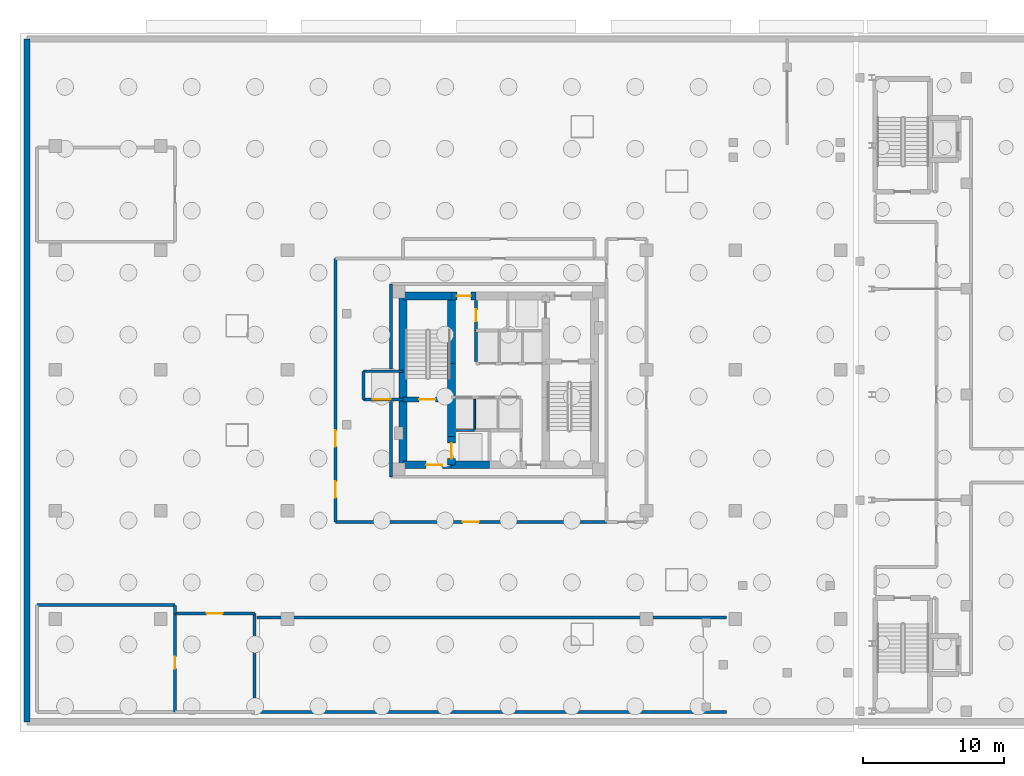
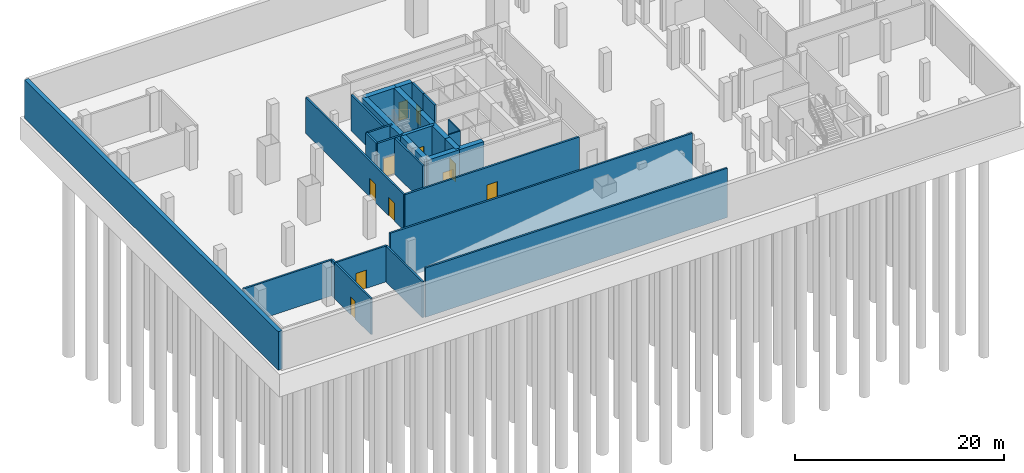
# One storey, part 6 of 15: 30 walls, 11 doors, 11 openings.
"""IFC4 building model written with IfcOpenShell, lengths in metres."""

from ifc_helpers import new_model, si_unit, direction, frame, frame_2d, origin, place, context, subcontext, project, spatial, rectangle, extrude, material, layer, layer_set, type_object, element, fill, save


model = new_model("IFC4")

# Units and contexts
model_context = context("Model", 3, precision=1e-05, world=origin(), true_north=direction((0.0, 1.0)))
body_context = subcontext(model_context, "Body", "Model", "MODEL_VIEW")
ifc_project = project(units=[si_unit("LENGTHUNIT", "METRE"), si_unit("AREAUNIT", "SQUARE_METRE"), si_unit("VOLUMEUNIT", "CUBIC_METRE"), si_unit("PLANEANGLEUNIT", "RADIAN"), si_unit("MASSUNIT", "GRAM", prefix="KILO")], contexts=[model_context])

# Site, building, storey
site_placement = place(None, origin())
site = spatial("IfcSite", under=ifc_project, at=site_placement, CompositionType="ELEMENT")
building_placement = place(site_placement, origin())
building = spatial("IfcBuilding", under=site, at=building_placement, Name="Mersakhor Tower and Convention Hall", CompositionType="ELEMENT")
storey_placement = place(building_placement, frame((0.0, 0.0, -9.0)))
storey = spatial("IfcBuildingStorey", under=building, at=storey_placement, Name="B02", CompositionType="ELEMENT", Elevation=-9.0)

# Walls
ifc_material_1 = material(Name="Precast concrete C40/50", Category="concrete")
ifc_layer_1 = layer(ifc_material_1, 0.199951171875)
ifc_layer_set_1 = layer_set([ifc_layer_1], Name="Precast concrete C40/50")
wall_type_1 = type_object("IfcWallType", Name="WL-PAR-200", PredefinedType="PARAPET", material=ifc_layer_set_1)
for number, where, z_axis, x_axis, name in (
    (1, (11.85009765625, 9.89990234375, 0.0), (0.0, 0.0, 1.0), (1.0, 0.0, 0.0), "B02 Vehicle Ramp North Pit Guard Wall"),
    (2, (45.199951171875, 3.199951171875, 0.0), (0.0, 0.0, 1.0), (-1.0, 0.0, 0.0), "B02 Vehicle Ramp South Pit Guard Wall"),
):
    element("IfcWall", number, at=place(storey_placement, frame(where, z_axis=z_axis, x_axis=x_axis)), inside=storey, type_object=wall_type_1, Name=name, PredefinedType="PARAPET", context=body_context, shape_type="SweptSolid", body=[
        extrude(rectangle(XDim=33.349853515625, YDim=0.199951171875, at=frame_2d((16.6748046875, 0.0))), origin(), (0.0, 0.0, 1.0), 5.75),
    ])
ifc_material_2 = material(Name="Gypsum board acoustic partition", Category="other")
ifc_layer_2 = layer(ifc_material_2, 0.125)
ifc_layer_set_2 = layer_set([ifc_layer_2], Name="Gypsum board acoustic partition")
wall_type_2 = type_object("IfcWallType", Name="WL-PRT-125", PredefinedType="PARTITIONING", material=ifc_layer_set_2)
wall_1_placement = place(storey_placement, frame((25.97509765625, 23.199951171875, 0.0), z_axis=(0.0, 0.0, 1.0), x_axis=(1.0, 0.0, 0.0)))
element("IfcWall", 3, at=wall_1_placement, inside=storey, type_object=wall_type_2, Name="B02 Interior Partition Wall P-001", PredefinedType="PARTITIONING", context=body_context, shape_type="SweptSolid", body=[
    extrude(rectangle(XDim=1.324951171875, YDim=0.125, at=frame_2d((0.66259765625, 0.0))), origin(), (0.0, 0.0, 1.0), 4.199951171875),
])
wall_2_placement = place(storey_placement, frame((27.300048828125, 25.39990234375, 0.0), z_axis=(0.0, 0.0, 1.0), x_axis=(0.0, -1.0, 0.0)))
element("IfcWall", 4, at=wall_2_placement, inside=storey, type_object=wall_type_2, Name="B02 Interior Partition Wall P-007", PredefinedType="PARTITIONING", context=body_context, shape_type="SweptSolid", body=[
    extrude(rectangle(XDim=2.199951171875, YDim=0.125, at=frame_2d((1.10009765625, 0.0))), origin(), (0.0, 0.0, 1.0), 4.199951171875),
])
ifc_material_3 = material(Name="Acoustic concrete blockwork and gypsum board", Category="masonry")
ifc_layer_3 = layer(ifc_material_3, 0.199951171875)
ifc_layer_set_3 = layer_set([ifc_layer_3], Name="Acoustic concrete blockwork and gypsum board")
wall_type_3 = type_object("IfcWallType", Name="WL-PRT-200", PredefinedType="PARTITIONING", material=ifc_layer_set_3)
wall_3_placement = place(storey_placement, frame((19.39990234375, 25.39990234375, 0.0), z_axis=(0.0, 0.0, 1.0), x_axis=(0.0, 1.0, 0.0)))
element("IfcWall", 5, at=wall_3_placement, inside=storey, type_object=wall_type_3, Name="B02 Clinic Lift West Wall", PredefinedType="PARTITIONING", context=body_context, shape_type="SweptSolid", body=[
    extrude(rectangle(XDim=2.0, YDim=0.199951171875, at=frame_2d((1.0, 0.0))), origin(), (0.0, 0.0, 1.0), 4.199951171875),
])
wall_4_placement = place(storey_placement, frame((19.39990234375, 27.39990234375, 0.0), z_axis=(0.0, 0.0, 1.0), x_axis=(1.0, 0.0, 0.0)))
element("IfcWall", 6, at=wall_4_placement, inside=storey, type_object=wall_type_3, Name="B02 Clinic Lift North Wall", PredefinedType="PARTITIONING", context=body_context, shape_type="SweptSolid", body=[
    extrude(rectangle(XDim=2.800048828125, YDim=0.199951171875, at=frame_2d((1.39990234375, 0.0))), origin(), (0.0, 0.0, 1.0), 4.199951171875),
])

# Wall, opening, door
wall_5_placement = place(storey_placement, frame((22.199951171875, 25.39990234375, 0.0), z_axis=(0.0, 0.0, 1.0), x_axis=(-1.0, 0.0, 0.0)))
wall_5 = element("IfcWall", 7, at=wall_5_placement, inside=storey, type_object=wall_type_3, Name="B02 Clinic Lift Front Wall", PredefinedType="PARTITIONING", context=body_context, shape_type="SweptSolid", body=[
    extrude(rectangle(XDim=2.800048828125, YDim=0.199951171875, at=frame_2d((1.39990234375, 0.0))), origin(), (0.0, 0.0, 1.0), 4.199951171875),
])
opening_1_placement = place(wall_5_placement, frame((0.85009765625, 0.0, 0.0)))
opening_1 = element("IfcOpeningElement", 8, at=opening_1_placement, cuts=wall_5, Name="Opening LD-CL1", PredefinedType="OPENING", context=body_context, shape_type="SweptSolid", body=[
    extrude(rectangle(XDim=1.300048828125, YDim=2.199951171875, at=frame_2d((0.64990234375, 1.10009765625))), frame((0.0, 0.10986328125, 0.0), z_axis=(0.0, -1.0, 0.0), x_axis=(1.0, 0.0, 0.0)), (0.0, 0.0, 1.0), 0.219970703125),
])
ifc_material_4 = material(Name="Fire-rated brushed stainless steel sliding landing door", Category="steel")
door_type_1 = type_object("IfcDoorType", Name="DR-LIFT-SLD-130x220", OperationType="NOTDEFINED", PredefinedType="DOOR", material=ifc_material_4)
door_1_placement = place(opening_1_placement, origin())
door_1 = element("IfcDoor", 9, at=door_1_placement, inside=storey, type_object=door_type_1, Name="B02 Clinic Stretcher Lift Landing Door LD-CL1", OperationType="SLIDING_TO_LEFT", OverallHeight=2.199951171875, OverallWidth=1.300048828125, PredefinedType="DOOR", context=body_context, shape_type="SweptSolid", body=[
    extrude(rectangle(XDim=1.300048828125, YDim=2.199951171875, at=frame_2d((0.64990234375, 1.10009765625))), frame((0.0, 0.02490234375, 0.0), z_axis=(0.0, -1.0, 0.0), x_axis=(1.0, 0.0, 0.0)), (0.0, 0.0, 1.0), 0.050048828125),
])
fill(opening_1, door_1)

# Wall
wall_6_placement = place(storey_placement, frame((27.39990234375, 28.10009765625, 0.0), z_axis=(0.0, 0.0, 1.0), x_axis=(0.0, 1.0, 0.0)))
element("IfcWall", 10, at=wall_6_placement, inside=storey, type_object=wall_type_3, Name="B02 Interior Partition Wall P-014", PredefinedType="PARTITIONING", context=body_context, shape_type="SweptSolid", body=[
    extrude(rectangle(XDim=2.199951171875, YDim=0.199951171875, at=frame_2d((1.10009765625, 0.0))), origin(), (0.0, 0.0, 1.0), 4.199951171875),
])

# Wall, opening, door
wall_7_placement = place(storey_placement, frame((27.39990234375, 32.425048828125, 0.0), z_axis=(0.0, 0.0, 1.0), x_axis=(0.0, -1.0, 0.0)))
wall_7 = element("IfcWall", 11, at=wall_7_placement, inside=storey, type_object=wall_type_3, Name="B02 Interior Partition Wall P-018", PredefinedType="PARTITIONING", context=body_context, shape_type="SweptSolid", body=[
    extrude(rectangle(XDim=2.125, YDim=0.199951171875, at=frame_2d((1.0625, 0.0))), origin(), (0.0, 0.0, 1.0), 4.199951171875),
])
opening_2_placement = place(wall_7_placement, frame((0.637451171875, 0.0, 0.0)))
opening_2 = element("IfcOpeningElement", 12, at=opening_2_placement, cuts=wall_7, Name="Opening SVD-01", PredefinedType="OPENING", context=body_context, shape_type="SweptSolid", body=[
    extrude(rectangle(XDim=0.85009765625, YDim=2.10009765625, at=frame_2d((0.425048828125, 1.050048828125))), frame((0.0, 0.10986328125, 0.0), z_axis=(0.0, -1.0, 0.0), x_axis=(1.0, 0.0, 0.0)), (0.0, 0.0, 1.0), 0.219970703125),
])
ifc_material_5 = material(Name="Fire-rated hardwood leaf and painted steel frame", Category="steel")
door_type_2 = type_object("IfcDoorType", Name="DR-INT-SVC-085x210", OperationType="NOTDEFINED", PredefinedType="DOOR", material=ifc_material_5)
door_2_placement = place(opening_2_placement, origin())
door_2 = element("IfcDoor", 13, at=door_2_placement, inside=storey, type_object=door_type_2, Name="B02 Central Passenger Lift Lobby to Telecoms and BMS Riser Room Door", OperationType="SINGLE_SWING_LEFT", OverallHeight=2.10009765625, OverallWidth=0.85009765625, PredefinedType="DOOR", context=body_context, shape_type="SweptSolid", body=[
    extrude(rectangle(XDim=0.85009765625, YDim=2.10009765625, at=frame_2d((0.425048828125, 1.050048828125))), frame((0.0, 0.02490234375, 0.0), z_axis=(0.0, -1.0, 0.0), x_axis=(1.0, 0.0, 0.0)), (0.0, 0.0, 1.0), 0.050048828125),
])
fill(opening_2, door_2)

# Wall, openings, doors
wall_8_placement = place(storey_placement, frame((17.39990234375, 16.699951171875, 0.0), z_axis=(0.0, 0.0, 1.0), x_axis=(0.0, 1.0, 0.0)))
wall_8 = element("IfcWall", 14, at=wall_8_placement, inside=storey, type_object=wall_type_3, Name="B02 Interior Partition Wall P-019", PredefinedType="PARTITIONING", context=body_context, shape_type="SweptSolid", body=[
    extrude(rectangle(XDim=18.699951171875, YDim=0.199951171875, at=frame_2d((9.35009765625, 0.0))), origin(), (0.0, 0.0, 1.0), 4.199951171875),
])
opening_3_placement = place(wall_8_placement, frame((1.72509765625, 0.0, 0.0)))
opening_3 = element("IfcOpeningElement", 15, at=opening_3_placement, cuts=wall_8, Name="Opening SD-01", PredefinedType="OPENING", context=body_context, shape_type="SweptSolid", body=[
    extrude(rectangle(XDim=1.14990234375, YDim=2.14990234375, at=frame_2d((0.574951171875, 1.074951171875))), frame((0.0, 0.10986328125, 0.0), z_axis=(0.0, -1.0, 0.0), x_axis=(1.0, 0.0, 0.0)), (0.0, 0.0, 1.0), 0.219970703125),
])
opening_4_placement = place(wall_8_placement, frame((5.347412109375, 0.0, 0.0)))
opening_4 = element("IfcOpeningElement", 16, at=opening_4_placement, cuts=wall_8, Name="Opening SD-01", PredefinedType="OPENING", context=body_context, shape_type="SweptSolid", body=[
    extrude(rectangle(XDim=1.14990234375, YDim=2.14990234375, at=frame_2d((0.574951171875, 1.074951171875))), frame((0.0, 0.10986328125, 0.0), z_axis=(0.0, -1.0, 0.0), x_axis=(1.0, 0.0, 0.0)), (0.0, 0.0, 1.0), 0.219970703125),
])
ifc_material_6 = material(Name="Fire-rated hardwood leaf and painted steel frame", Category="steel")
door_type_3 = type_object("IfcDoorType", Name="DR-INT-STAIR-115x215", OperationType="NOTDEFINED", PredefinedType="DOOR", material=ifc_material_6)
door_3_placement = place(opening_3_placement, origin())
door_3 = element("IfcDoor", 17, at=door_3_placement, inside=storey, type_object=door_type_3, Name="B02 Basement Core Access Corridor West to Accessible Parking Bay AP-B02-1 Door", OperationType="SINGLE_SWING_LEFT", OverallHeight=2.14990234375, OverallWidth=1.14990234375, PredefinedType="DOOR", context=body_context, shape_type="SweptSolid", body=[
    extrude(rectangle(XDim=1.14990234375, YDim=2.14990234375, at=frame_2d((0.574951171875, 1.074951171875))), frame((0.0, 0.02490234375, 0.0), z_axis=(0.0, -1.0, 0.0), x_axis=(1.0, 0.0, 0.0)), (0.0, 0.0, 1.0), 0.050048828125),
])
fill(opening_3, door_3)
door_4_placement = place(opening_4_placement, origin())
door_4 = element("IfcDoor", 18, at=door_4_placement, inside=storey, type_object=door_type_3, Name="B02 Basement Core Access Corridor West to Accessible Parking Bay AP-B02-2 Door", OperationType="SINGLE_SWING_RIGHT", OverallHeight=2.14990234375, OverallWidth=1.14990234375, PredefinedType="DOOR", context=body_context, shape_type="SweptSolid", body=[
    extrude(rectangle(XDim=1.14990234375, YDim=2.14990234375, at=frame_2d((0.574951171875, 1.074951171875))), frame((0.0, 0.02490234375, 0.0), z_axis=(0.0, -1.0, 0.0), x_axis=(1.0, 0.0, 0.0)), (0.0, 0.0, 1.0), 0.050048828125),
])
fill(opening_4, door_4)

# Walls
wall_9_placement = place(storey_placement, frame((21.35009765625, 33.60009765625, 0.0), z_axis=(0.0, 0.0, 1.0), x_axis=(0.0, -1.0, 0.0)))
element("IfcWall", 19, at=wall_9_placement, inside=storey, type_object=wall_type_3, Name="B02 Interior Partition Wall P-025", PredefinedType="PARTITIONING", context=body_context, shape_type="SweptSolid", body=[
    extrude(rectangle(XDim=6.050048828125, YDim=0.199951171875, at=frame_2d((3.02490234375, 0.0))), origin(), (0.0, 0.0, 1.0), 4.199951171875),
])
wall_10_placement = place(storey_placement, frame((21.35009765625, 25.25, 0.0), z_axis=(0.0, 0.0, 1.0), x_axis=(0.0, -1.0, 0.0)))
element("IfcWall", 20, at=wall_10_placement, inside=storey, type_object=wall_type_3, Name="B02 Interior Partition Wall P-026", PredefinedType="PARTITIONING", context=body_context, shape_type="SweptSolid", body=[
    extrude(rectangle(XDim=5.35009765625, YDim=0.199951171875, at=frame_2d((2.675048828125, 0.0))), origin(), (0.0, 0.0, 1.0), 4.199951171875),
])

# Wall, opening, door
wall_11_placement = place(storey_placement, frame((36.64990234375, 16.699951171875, 0.0), z_axis=(0.0, 0.0, 1.0), x_axis=(-1.0, 0.0, 0.0)))
wall_11 = element("IfcWall", 21, at=wall_11_placement, inside=storey, type_object=wall_type_3, Name="B02 Interior Partition Wall P-029", PredefinedType="PARTITIONING", context=body_context, shape_type="SweptSolid", body=[
    extrude(rectangle(XDim=19.25, YDim=0.199951171875, at=frame_2d((9.625, 0.0))), origin(), (0.0, 0.0, 1.0), 4.199951171875),
])
opening_5_placement = place(wall_11_placement, frame((9.050048828125, 0.0, 0.0)))
opening_5 = element("IfcOpeningElement", 22, at=opening_5_placement, cuts=wall_11, Name="Opening SD-01", PredefinedType="OPENING", context=body_context, shape_type="SweptSolid", body=[
    extrude(rectangle(XDim=1.14990234375, YDim=2.14990234375, at=frame_2d((0.574951171875, 1.074951171875))), frame((0.0, 0.10986328125, 0.0), z_axis=(0.0, -1.0, 0.0), x_axis=(1.0, 0.0, 0.0)), (0.0, 0.0, 1.0), 0.219970703125),
])
door_5_placement = place(opening_5_placement, origin())
door_5 = element("IfcDoor", 23, at=door_5_placement, inside=storey, type_object=door_type_3, Name="B02 Basement Core Access Corridor West to Two-Way Basement Drive Aisle AISLE-S Door", OperationType="SINGLE_SWING_RIGHT", OverallHeight=2.14990234375, OverallWidth=1.14990234375, PredefinedType="DOOR", context=body_context, shape_type="SweptSolid", body=[
    extrude(rectangle(XDim=1.14990234375, YDim=2.14990234375, at=frame_2d((0.574951171875, 1.074951171875))), frame((0.0, 0.02490234375, 0.0), z_axis=(0.0, -1.0, 0.0), x_axis=(1.0, 0.0, 0.0)), (0.0, 0.0, 1.0), 0.050048828125),
])
fill(opening_5, door_5)

# Walls
wall_12_placement = place(storey_placement, frame((-3.800048828125, 10.800048828125, 0.0), z_axis=(0.0, 0.0, 1.0), x_axis=(1.0, 0.0, 0.0)))
element("IfcWall", 24, at=wall_12_placement, inside=storey, type_object=wall_type_3, Name="B02 Interior Partition Wall P-053", PredefinedType="PARTITIONING", context=body_context, shape_type="SweptSolid", body=[
    extrude(rectangle(XDim=9.800048828125, YDim=0.199951171875, at=frame_2d((4.89990234375, 0.0))), origin(), (0.0, 0.0, 1.0), 4.199951171875),
])
wall_13_placement = place(storey_placement, frame((6.0, 10.77001953125, 0.0), z_axis=(0.0, 0.0, 1.0), x_axis=(0.0, -1.0, 0.0)))
element("IfcWall", 25, at=wall_13_placement, inside=storey, type_object=wall_type_3, Name="B02 Interior Partition Wall P-054", PredefinedType="PARTITIONING", context=body_context, shape_type="SweptSolid", body=[
    extrude(rectangle(XDim=0.570068359375, YDim=0.199951171875, at=frame_2d((0.28515625, 0.0))), origin(), (0.0, 0.0, 1.0), 4.199951171875),
])

# Wall, opening, door
wall_14_placement = place(storey_placement, frame((6.0, 10.199951171875, 0.0), z_axis=(0.0, 0.0, 1.0), x_axis=(0.0, -1.0, 0.0)))
wall_14 = element("IfcWall", 26, at=wall_14_placement, inside=storey, type_object=wall_type_3, Name="B02 Interior Partition Wall P-055", PredefinedType="PARTITIONING", context=body_context, shape_type="SweptSolid", body=[
    extrude(rectangle(XDim=7.0, YDim=0.199951171875, at=frame_2d((3.5, 0.0))), origin(), (0.0, 0.0, 1.0), 4.199951171875),
])
opening_6_placement = place(wall_14_placement, frame((3.074951171875, 0.0, 0.0)))
opening_6 = element("IfcOpeningElement", 27, at=opening_6_placement, cuts=wall_14, Name="Opening SVD-01", PredefinedType="OPENING", context=body_context, shape_type="SweptSolid", body=[
    extrude(rectangle(XDim=0.85009765625, YDim=2.10009765625, at=frame_2d((0.425048828125, 1.050048828125))), frame((0.0, 0.10986328125, 0.0), z_axis=(0.0, -1.0, 0.0), x_axis=(1.0, 0.0, 0.0)), (0.0, 0.0, 1.0), 0.219970703125),
])
door_6_placement = place(opening_6_placement, origin())
door_6 = element("IfcDoor", 28, at=door_6_placement, inside=storey, type_object=door_type_2, Name="B02 Fire Fighting and Potable Water Tank Room to Sprinkler and Domestic Booster Pump Plant Room Door", OperationType="SINGLE_SWING_RIGHT", OverallHeight=2.10009765625, OverallWidth=0.85009765625, PredefinedType="DOOR", context=body_context, shape_type="SweptSolid", body=[
    extrude(rectangle(XDim=0.85009765625, YDim=2.10009765625, at=frame_2d((0.425048828125, 1.050048828125))), frame((0.0, 0.02490234375, 0.0), z_axis=(0.0, -1.0, 0.0), x_axis=(1.0, 0.0, 0.0)), (0.0, 0.0, 1.0), 0.050048828125),
])
fill(opening_6, door_6)

wall_15_placement = place(storey_placement, frame((6.0, 10.199951171875, 0.0), z_axis=(0.0, 0.0, 1.0), x_axis=(1.0, 0.0, 0.0)))
wall_15 = element("IfcWall", 29, at=wall_15_placement, inside=storey, type_object=wall_type_3, Name="B02 Interior Partition Wall P-058", PredefinedType="PARTITIONING", context=body_context, shape_type="SweptSolid", body=[
    extrude(rectangle(XDim=5.64990234375, YDim=0.199951171875, at=frame_2d((2.824951171875, 0.0))), origin(), (0.0, 0.0, 1.0), 4.199951171875),
])
opening_7_placement = place(wall_15_placement, frame((2.25, 0.0, 0.0)))
opening_7 = element("IfcOpeningElement", 30, at=opening_7_placement, cuts=wall_15, Name="Opening SD-01", PredefinedType="OPENING", context=body_context, shape_type="SweptSolid", body=[
    extrude(rectangle(XDim=1.14990234375, YDim=2.14990234375, at=frame_2d((0.574951171875, 1.074951171875))), frame((0.0, 0.10986328125, 0.0), z_axis=(0.0, -1.0, 0.0), x_axis=(1.0, 0.0, 0.0)), (0.0, 0.0, 1.0), 0.219970703125),
])
door_7_placement = place(opening_7_placement, origin())
door_7 = element("IfcDoor", 31, at=door_7_placement, inside=storey, type_object=door_type_3, Name="B02 Two-Way Basement Drive Aisle AISLE-W to Sprinkler and Domestic Booster Pump Plant Room Door", OperationType="SINGLE_SWING_LEFT", OverallHeight=2.14990234375, OverallWidth=1.14990234375, PredefinedType="DOOR", context=body_context, shape_type="SweptSolid", body=[
    extrude(rectangle(XDim=1.14990234375, YDim=2.14990234375, at=frame_2d((0.574951171875, 1.074951171875))), frame((0.0, 0.02490234375, 0.0), z_axis=(0.0, -1.0, 0.0), x_axis=(1.0, 0.0, 0.0)), (0.0, 0.0, 1.0), 0.050048828125),
])
fill(opening_7, door_7)

# Walls
wall_16_placement = place(storey_placement, frame((11.64990234375, 10.199951171875, 0.0), z_axis=(0.0, 0.0, 1.0), x_axis=(0.0, -1.0, 0.0)))
element("IfcWall", 32, at=wall_16_placement, inside=storey, type_object=wall_type_3, Name="B02 Interior Partition Wall P-059", PredefinedType="PARTITIONING", context=body_context, shape_type="SweptSolid", body=[
    extrude(rectangle(XDim=7.0, YDim=0.199951171875, at=frame_2d((3.5, 0.0))), origin(), (0.0, 0.0, 1.0), 4.199951171875),
])
ifc_material_7 = material(Name="Concrete C45/55", Category="concrete")
ifc_layer_4 = layer(ifc_material_7, 0.449951171875)
ifc_layer_set_4 = layer_set([ifc_layer_4], Name="Concrete C45/55")
wall_type_4 = type_object("IfcWallType", Name="WL-RET-450", PredefinedType="USERDEFINED", material=ifc_layer_set_4)
wall_17_placement = place(storey_placement, frame((-4.5, 51.0, 0.0), z_axis=(0.0, 0.0, 1.0), x_axis=(0.0, -1.0, 0.0)))
element("IfcWall", 33, at=wall_17_placement, inside=storey, type_object=wall_type_4, Name="B02 Perimeter Retaining Wall W", ObjectType="RETAININGWALL", PredefinedType="USERDEFINED", context=body_context, shape_type="SweptSolid", body=[
    extrude(rectangle(XDim=48.5, YDim=0.449951171875, at=frame_2d((24.25, 0.0))), origin(), (0.0, 0.0, 1.0), 4.5),
])

# Wall, opening, door
ifc_material_8 = material(Name="Concrete C50/60", Category="concrete")
ifc_layer_5 = layer(ifc_material_8, 0.35009765625)
ifc_layer_set_5 = layer_set([ifc_layer_5], Name="Concrete C50/60")
wall_type_5 = type_object("IfcWallType", Name="WL-SHR-350", PredefinedType="SHEAR", material=ifc_layer_set_5)
wall_18_placement = place(storey_placement, frame((22.199951171875, 25.39990234375, 0.0), z_axis=(0.0, 0.0, 1.0), x_axis=(1.0, 0.0, 0.0)))
wall_18 = element("IfcWall", 34, at=wall_18_placement, inside=storey, type_object=wall_type_5, Name="B02 Core Wall CS-ST1-S", PredefinedType="SHEAR", context=body_context, shape_type="SweptSolid", body=[
    extrude(rectangle(XDim=3.449951171875, YDim=0.35009765625, at=frame_2d((1.72509765625, 0.0))), origin(), (0.0, 0.0, 1.0), 4.199951171875),
])
opening_8_placement = place(wall_18_placement, frame((1.14990234375, 0.0, 0.0)))
opening_8 = element("IfcOpeningElement", 35, at=opening_8_placement, cuts=wall_18, Name="Opening SD-01", PredefinedType="OPENING", context=body_context, shape_type="SweptSolid", body=[
    extrude(rectangle(XDim=1.14990234375, YDim=2.14990234375, at=frame_2d((0.574951171875, 1.074951171875))), frame((0.0, 0.18505859375, 0.0), z_axis=(0.0, -1.0, 0.0), x_axis=(1.0, 0.0, 0.0)), (0.0, 0.0, 1.0), 0.3701171875),
])
door_8_placement = place(opening_8_placement, origin())
door_8 = element("IfcDoor", 36, at=door_8_placement, inside=storey, type_object=door_type_3, Name="B02 Exit Stair ST-1 Enclosure Door", OperationType="SINGLE_SWING_LEFT", OverallHeight=2.14990234375, OverallWidth=1.14990234375, PredefinedType="DOOR", context=body_context, shape_type="SweptSolid", body=[
    extrude(rectangle(XDim=1.14990234375, YDim=2.14990234375, at=frame_2d((0.574951171875, 1.074951171875))), frame((0.0, 0.02490234375, 0.0), z_axis=(0.0, -1.0, 0.0), x_axis=(1.0, 0.0, 0.0)), (0.0, 0.0, 1.0), 0.050048828125),
])
fill(opening_8, door_8)

# Walls
ifc_material_9 = material(Name="Concrete C70/85", Category="concrete")
ifc_layer_6 = layer(ifc_material_9, 0.550048828125)
ifc_layer_set_6 = layer_set([ifc_layer_6], Name="Concrete C70/85")
wall_type_6 = type_object("IfcWallType", Name="WL-SHR-550", PredefinedType="SHEAR", material=ifc_layer_set_6)
wall_19_placement = place(storey_placement, frame((22.199951171875, 20.75, 0.0), z_axis=(0.0, 0.0, 1.0), x_axis=(0.0, 1.0, 0.0)))
element("IfcWall", 37, at=wall_19_placement, inside=storey, type_object=wall_type_6, Name="B02 Core Wall CW-W1", PredefinedType="SHEAR", context=body_context, shape_type="SweptSolid", body=[
    extrude(rectangle(XDim=4.64990234375, YDim=0.550048828125, at=frame_2d((2.324951171875, 0.0))), origin(), (0.0, 0.0, 1.0), 4.199951171875),
])
wall_20_placement = place(storey_placement, frame((22.199951171875, 25.39990234375, 0.0), z_axis=(0.0, 0.0, 1.0), x_axis=(0.0, 1.0, 0.0)))
element("IfcWall", 38, at=wall_20_placement, inside=storey, type_object=wall_type_6, Name="B02 Core Wall CW-W2", PredefinedType="SHEAR", context=body_context, shape_type="SweptSolid", body=[
    extrude(rectangle(XDim=7.35009765625, YDim=0.550048828125, at=frame_2d((3.675048828125, 0.0))), origin(), (0.0, 0.0, 1.0), 4.199951171875),
])
wall_21_placement = place(storey_placement, frame((22.199951171875, 32.75, 0.0), z_axis=(0.0, 0.0, 1.0), x_axis=(1.0, 0.0, 0.0)))
element("IfcWall", 39, at=wall_21_placement, inside=storey, type_object=wall_type_6, Name="B02 Core Wall CW-N1", PredefinedType="SHEAR", context=body_context, shape_type="SweptSolid", body=[
    extrude(rectangle(XDim=3.449951171875, YDim=0.550048828125, at=frame_2d((1.72509765625, 0.0))), origin(), (0.0, 0.0, 1.0), 4.199951171875),
])

# Wall, opening, door
wall_22_placement = place(storey_placement, frame((25.64990234375, 32.75, 0.0), z_axis=(0.0, 0.0, 1.0), x_axis=(1.0, 0.0, 0.0)))
wall_22 = element("IfcWall", 40, at=wall_22_placement, inside=storey, type_object=wall_type_6, Name="B02 Core Wall CW-N2A", PredefinedType="SHEAR", context=body_context, shape_type="SweptSolid", body=[
    extrude(rectangle(XDim=1.75, YDim=0.550048828125, at=frame_2d((0.875, 0.0))), origin(), (0.0, 0.0, 1.0), 4.199951171875),
])
opening_9_placement = place(wall_22_placement, frame((0.375, 0.0, 0.0)))
opening_9 = element("IfcOpeningElement", 41, at=opening_9_placement, cuts=wall_22, Name="Opening CFD-01", PredefinedType="OPENING", context=body_context, shape_type="SweptSolid", body=[
    extrude(rectangle(XDim=1.0, YDim=2.14990234375, at=frame_2d((0.5, 1.074951171875))), frame((0.0, 0.284912109375, 0.0), z_axis=(0.0, -1.0, 0.0), x_axis=(1.0, 0.0, 0.0)), (0.0, 0.0, 1.0), 0.570068359375),
])
ifc_material_10 = material(Name="Fire-rated hardwood leaf and painted steel frame", Category="steel")
door_type_4 = type_object("IfcDoorType", Name="DR-CORE-FD-100x215", OperationType="NOTDEFINED", PredefinedType="DOOR", material=ifc_material_10)
door_9_placement = place(opening_9_placement, origin())
door_9 = element("IfcDoor", 42, at=door_9_placement, inside=storey, type_object=door_type_4, Name="B02 Lift Lobby North Corridor Door", OperationType="SINGLE_SWING_LEFT", OverallHeight=2.14990234375, OverallWidth=1.0, PredefinedType="DOOR", context=body_context, shape_type="SweptSolid", body=[
    extrude(rectangle(XDim=1.0, YDim=2.14990234375, at=frame_2d((0.5, 1.074951171875))), frame((0.0, 0.02490234375, 0.0), z_axis=(0.0, -1.0, 0.0), x_axis=(1.0, 0.0, 0.0)), (0.0, 0.0, 1.0), 0.050048828125),
])
fill(opening_9, door_9)

# Wall
wall_23_placement = place(storey_placement, frame((28.35009765625, 20.75, 0.0), z_axis=(0.0, 0.0, 1.0), x_axis=(-1.0, 0.0, 0.0)))
element("IfcWall", 43, at=wall_23_placement, inside=storey, type_object=wall_type_6, Name="B02 Core Wall CW-S3", PredefinedType="SHEAR", context=body_context, shape_type="SweptSolid", body=[
    extrude(rectangle(XDim=2.7001953125, YDim=0.550048828125, at=frame_2d((1.35009765625, 0.0))), origin(), (0.0, 0.0, 1.0), 4.199951171875),
])

# Wall, opening, door
wall_24_placement = place(storey_placement, frame((25.64990234375, 20.75, 0.0), z_axis=(0.0, 0.0, 1.0), x_axis=(-1.0, 0.0, 0.0)))
wall_24 = element("IfcWall", 44, at=wall_24_placement, inside=storey, type_object=wall_type_6, Name="B02 Core Wall CW-S4", PredefinedType="SHEAR", context=body_context, shape_type="SweptSolid", body=[
    extrude(rectangle(XDim=3.449951171875, YDim=0.550048828125, at=frame_2d((1.72509765625, 0.0))), origin(), (0.0, 0.0, 1.0), 4.199951171875),
])
opening_10_placement = place(wall_24_placement, frame((0.64990234375, 0.0, 0.0)))
opening_10 = element("IfcOpeningElement", 45, at=opening_10_placement, cuts=wall_24, Name="Opening SD-01", PredefinedType="OPENING", context=body_context, shape_type="SweptSolid", body=[
    extrude(rectangle(XDim=1.14990234375, YDim=2.14990234375, at=frame_2d((0.574951171875, 1.074951171875))), frame((0.0, 0.284912109375, 0.0), z_axis=(0.0, -1.0, 0.0), x_axis=(1.0, 0.0, 0.0)), (0.0, 0.0, 1.0), 0.570068359375),
])
door_10_placement = place(opening_10_placement, origin())
door_10 = element("IfcDoor", 46, at=door_10_placement, inside=storey, type_object=door_type_3, Name="B02 Firefighting Lobby West Fire Door", OperationType="SINGLE_SWING_LEFT", OverallHeight=2.14990234375, OverallWidth=1.14990234375, PredefinedType="DOOR", context=body_context, shape_type="SweptSolid", body=[
    extrude(rectangle(XDim=1.14990234375, YDim=2.14990234375, at=frame_2d((0.574951171875, 1.074951171875))), frame((0.0, 0.02490234375, 0.0), z_axis=(0.0, -1.0, 0.0), x_axis=(1.0, 0.0, 0.0)), (0.0, 0.0, 1.0), 0.050048828125),
])
fill(opening_10, door_10)

wall_25_placement = place(storey_placement, frame((25.64990234375, 20.75, 0.0), z_axis=(0.0, 0.0, 1.0), x_axis=(0.0, 1.0, 0.0)))
wall_25 = element("IfcWall", 47, at=wall_25_placement, inside=storey, type_object=wall_type_6, Name="B02 Core Wall CS-W-FFL", PredefinedType="SHEAR", context=body_context, shape_type="SweptSolid", body=[
    extrude(rectangle(XDim=2.0, YDim=0.550048828125, at=frame_2d((1.0, 0.0))), origin(), (0.0, 0.0, 1.0), 4.199951171875),
])
opening_11_placement = place(wall_25_placement, frame((0.449951171875, 0.0, 0.0)))
opening_11 = element("IfcOpeningElement", 48, at=opening_11_placement, cuts=wall_25, Name="Opening LD-FFL1", PredefinedType="OPENING", context=body_context, shape_type="SweptSolid", body=[
    extrude(rectangle(XDim=1.10009765625, YDim=2.14990234375, at=frame_2d((0.550048828125, 1.074951171875))), frame((0.0, 0.284912109375, 0.0), z_axis=(0.0, -1.0, 0.0), x_axis=(1.0, 0.0, 0.0)), (0.0, 0.0, 1.0), 0.570068359375),
])
ifc_material_11 = material(Name="Fire-rated brushed stainless steel sliding landing door", Category="steel")
door_type_5 = type_object("IfcDoorType", Name="DR-LIFT-SLD-110x215", OperationType="NOTDEFINED", PredefinedType="DOOR", material=ifc_material_11)
door_11_placement = place(opening_11_placement, origin())
door_11 = element("IfcDoor", 49, at=door_11_placement, inside=storey, type_object=door_type_5, Name="B02 Firefighting Lift Landing Door LD-FFL1", OperationType="SLIDING_TO_LEFT", OverallHeight=2.14990234375, OverallWidth=1.10009765625, PredefinedType="DOOR", context=body_context, shape_type="SweptSolid", body=[
    extrude(rectangle(XDim=1.10009765625, YDim=2.14990234375, at=frame_2d((0.550048828125, 1.074951171875))), frame((0.0, 0.02490234375, 0.0), z_axis=(0.0, -1.0, 0.0), x_axis=(1.0, 0.0, 0.0)), (0.0, 0.0, 1.0), 0.050048828125),
])
fill(opening_11, door_11)

# Walls
wall_26_placement = place(storey_placement, frame((25.64990234375, 22.75, 0.0), z_axis=(0.0, 0.0, 1.0), x_axis=(0.0, 1.0, 0.0)))
element("IfcWall", 50, at=wall_26_placement, inside=storey, type_object=wall_type_6, Name="B02 Core Wall CS-W-MID", PredefinedType="SHEAR", context=body_context, shape_type="SweptSolid", body=[
    extrude(rectangle(XDim=2.800048828125, YDim=0.550048828125, at=frame_2d((1.39990234375, 0.0))), origin(), (0.0, 0.0, 1.0), 4.199951171875),
])
wall_27_placement = place(storey_placement, frame((25.64990234375, 25.550048828125, 0.0), z_axis=(0.0, 0.0, 1.0), x_axis=(0.0, 1.0, 0.0)))
element("IfcWall", 51, at=wall_27_placement, inside=storey, type_object=wall_type_6, Name="B02 Core Wall CS-W-LOB", PredefinedType="SHEAR", context=body_context, shape_type="SweptSolid", body=[
    extrude(rectangle(XDim=2.39990234375, YDim=0.550048828125, at=frame_2d((1.199951171875, 0.0))), origin(), (0.0, 0.0, 1.0), 4.199951171875),
])
wall_28_placement = place(storey_placement, frame((25.64990234375, 27.949951171875, 0.0), z_axis=(0.0, 0.0, 1.0), x_axis=(0.0, 1.0, 0.0)))
element("IfcWall", 52, at=wall_28_placement, inside=storey, type_object=wall_type_6, Name="B02 Core Wall CS-W-ST1", PredefinedType="SHEAR", context=body_context, shape_type="SweptSolid", body=[
    extrude(rectangle(XDim=4.800048828125, YDim=0.550048828125, at=frame_2d((2.39990234375, 0.0))), origin(), (0.0, 0.0, 1.0), 4.199951171875),
])

save(model, "model.ifc")
